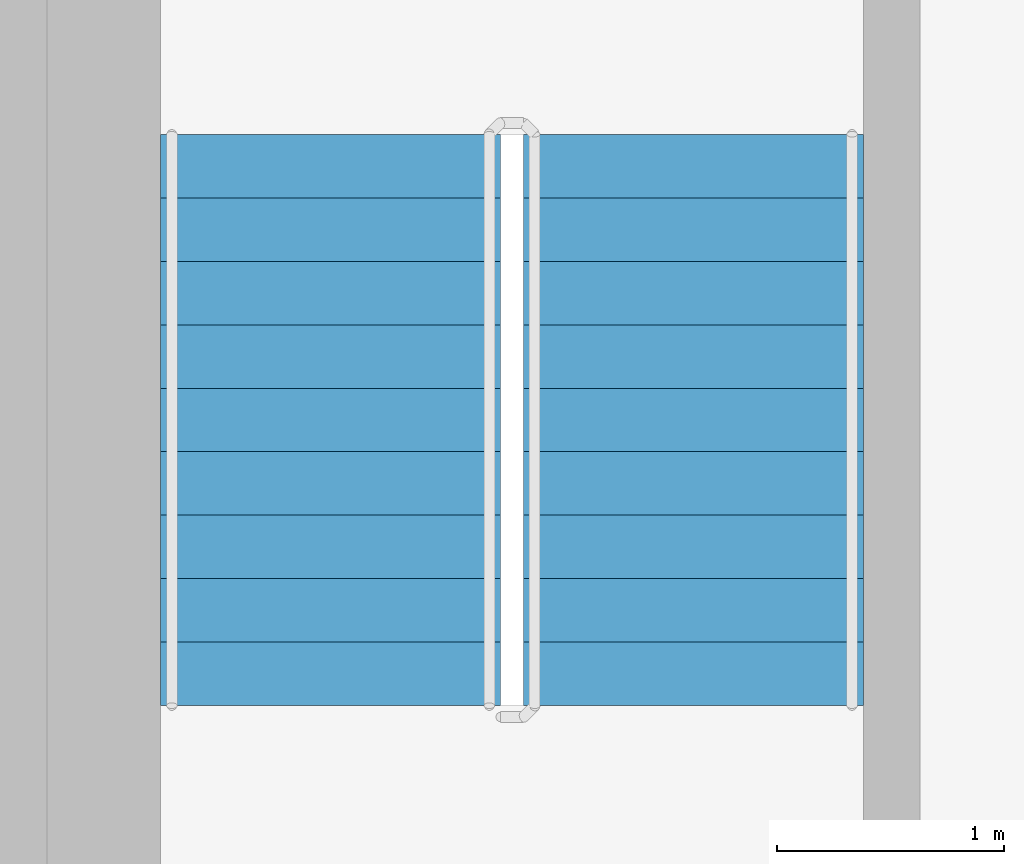
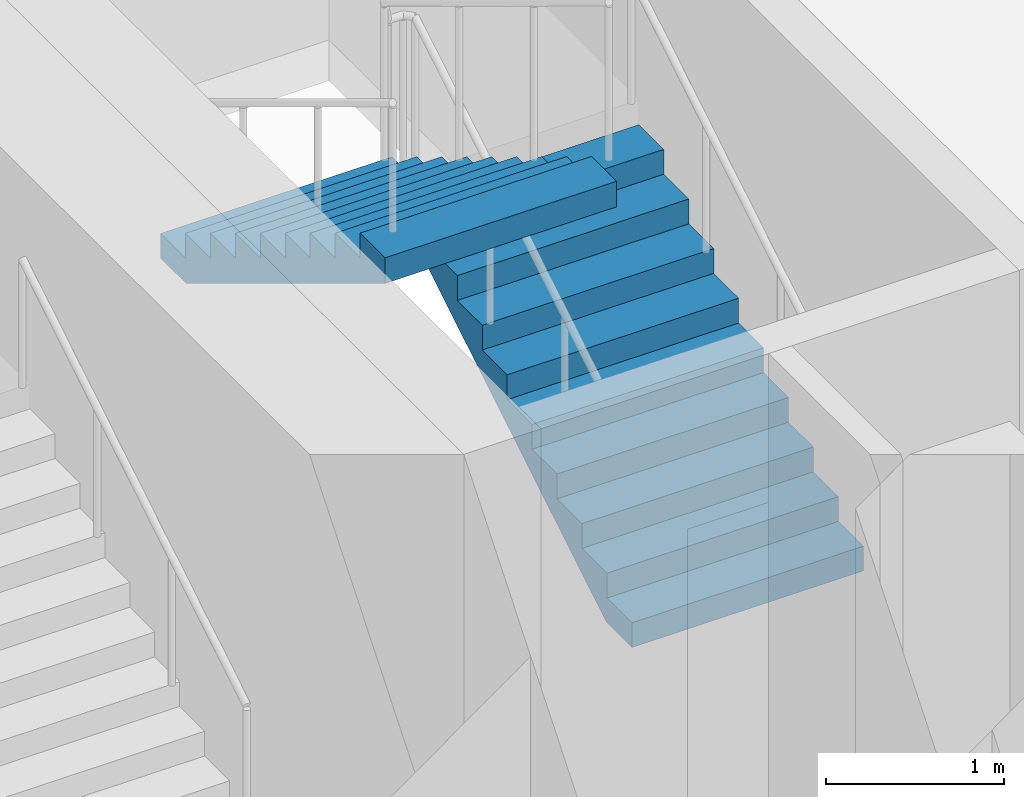
# One storey, part 13 of 21: 2 stair flights, 1 element without a shape of its own.
"""IFC4 building model written with IfcOpenShell, lengths in metres."""

from ifc_helpers import new_model, si_unit, direction, frame, origin, place, context, subcontext, project, spatial, triangles, source, transform, mapped, material, type_object, element, aggregate, save


model = new_model("IFC4")

# Units and contexts
model_context = context("Model", 3, precision=1e-05, world=origin(), true_north=direction((0.0, 1.0)))
body_context = subcontext(model_context, "Body", "Model", "MODEL_VIEW")
ifc_project = project(units=[si_unit("LENGTHUNIT", "METRE"), si_unit("AREAUNIT", "SQUARE_METRE"), si_unit("VOLUMEUNIT", "CUBIC_METRE"), si_unit("PLANEANGLEUNIT", "RADIAN"), si_unit("MASSUNIT", "GRAM", prefix="KILO")], contexts=[model_context])

# Site, building, storey
site_placement = place(None, origin())
site = spatial("IfcSite", under=ifc_project, at=site_placement, CompositionType="ELEMENT")
building_placement = place(site_placement, origin())
building = spatial("IfcBuilding", under=site, at=building_placement, Name="Kilnfold Tower and Market Hall", CompositionType="ELEMENT")
storey_placement = place(building_placement, frame((0.0, 0.0, 216.89990234375)))
storey = spatial("IfcBuildingStorey", under=building, at=storey_placement, Name="L53", CompositionType="ELEMENT", Elevation=216.89990234375)

# Stair, stair flights
ifc_material_1 = material(Name="Concrete C40/50", Category="concrete")
stair_type = type_object("IfcStairType", Name="CORE STAIR 1500", PredefinedType="HALF_TURN_STAIR", material=ifc_material_1)
stair_placement = place(storey_placement, origin())
stair = element("IfcStair", 1, at=stair_placement, inside=storey, type_object=stair_type, Name="L53 ST5", PredefinedType="HALF_TURN_STAIR")
ifc_material_2 = material(Name="Concrete C40/50", Category="concrete")
stair_flight_type = type_object("IfcStairFlightType", Name="CORE STAIR FLIGHT 1500", PredefinedType="STRAIGHT", material=ifc_material_2)
shared_shape = source(origin(), body_context, "Body", "Tessellation", [
    triangles([(0.0, 0.75, 0.0), (0.0, 0.65625, 0.0), (0.0, 0.5625, 0.0), (0.0, 0.46875, 0.0), (0.0, 0.375, 0.0), (0.0, 0.28125, 0.0), (0.0, 0.1875, 0.0), (0.0, 0.09375, 0.0), (0.0, 0.0, 0.0), (0.0, -0.09375, 0.0), (0.0, -0.1875, 0.0), (0.0, -0.28125, 0.0), (0.0, -0.375, 0.0), (0.0, -0.46875, 0.0), (0.0, -0.5625, 0.0), (0.0, -0.65625, 0.0), (0.0, -0.75, 0.0), (0.0, 0.75, 0.169921875), (0.0, 0.65625, 0.169921875), (0.0, 0.5625, 0.169921875), (0.0, 0.46875, 0.169921875), (0.0, 0.375, 0.169921875), (0.0, 0.28125, 0.169921875), (0.0, 0.1875, 0.169921875), (0.0, 0.09375, 0.169921875), (0.0, 0.0, 0.169921875), (0.0, -0.09375, 0.169921875), (0.0, -0.1875, 0.169921875), (0.0, -0.28125, 0.169921875), (0.0, -0.375, 0.169921875), (0.0, -0.46875, 0.169921875), (0.0, -0.5625, 0.169921875), (0.0, -0.65625, 0.169921875), (0.0, -0.75, 0.169921875), (0.280029296875, 0.75, 0.169921875), (0.280029296875, 0.65625, 0.169921875), (0.280029296875, 0.5625, 0.169921875), (0.280029296875, 0.46875, 0.169921875), (0.280029296875, 0.375, 0.169921875), (0.280029296875, 0.28125, 0.169921875), (0.280029296875, 0.1875, 0.169921875), (0.280029296875, 0.09375, 0.169921875), (0.280029296875, 0.0, 0.169921875), (0.280029296875, -0.09375, 0.169921875), (0.280029296875, -0.1875, 0.169921875), (0.280029296875, -0.28125, 0.169921875), (0.280029296875, -0.375, 0.169921875), (0.280029296875, -0.46875, 0.169921875), (0.280029296875, -0.5625, 0.169921875), (0.280029296875, -0.65625, 0.169921875), (0.280029296875, -0.75, 0.169921875), (0.280029296875, 0.75, 0.340087890625), (0.280029296875, 0.65625, 0.340087890625), (0.280029296875, 0.5625, 0.340087890625), (0.280029296875, 0.46875, 0.340087890625), (0.280029296875, 0.375, 0.340087890625), (0.280029296875, 0.28125, 0.340087890625), (0.280029296875, 0.1875, 0.340087890625), (0.280029296875, 0.09375, 0.340087890625), (0.280029296875, 0.0, 0.340087890625), (0.280029296875, -0.09375, 0.340087890625), (0.280029296875, -0.1875, 0.340087890625), (0.280029296875, -0.28125, 0.340087890625), (0.280029296875, -0.375, 0.340087890625), (0.280029296875, -0.46875, 0.340087890625), (0.280029296875, -0.5625, 0.340087890625), (0.280029296875, -0.65625, 0.340087890625), (0.280029296875, -0.75, 0.340087890625), (0.56005859375, 0.75, 0.340087890625), (0.56005859375, 0.65625, 0.340087890625), (0.56005859375, 0.5625, 0.340087890625), (0.56005859375, 0.46875, 0.340087890625), (0.56005859375, 0.375, 0.340087890625), (0.56005859375, 0.28125, 0.340087890625), (0.56005859375, 0.1875, 0.340087890625), (0.56005859375, 0.09375, 0.340087890625), (0.56005859375, 0.0, 0.340087890625), (0.56005859375, -0.09375, 0.340087890625), (0.56005859375, -0.1875, 0.340087890625), (0.56005859375, -0.28125, 0.340087890625), (0.56005859375, -0.375, 0.340087890625), (0.56005859375, -0.46875, 0.340087890625), (0.56005859375, -0.5625, 0.340087890625), (0.56005859375, -0.65625, 0.340087890625), (0.56005859375, -0.75, 0.340087890625), (0.56005859375, 0.75, 0.510009765625), (0.56005859375, 0.65625, 0.510009765625), (0.56005859375, 0.5625, 0.510009765625), (0.56005859375, 0.46875, 0.510009765625), (0.56005859375, 0.375, 0.510009765625), (0.56005859375, 0.28125, 0.510009765625), (0.56005859375, 0.1875, 0.510009765625), (0.56005859375, 0.09375, 0.510009765625), (0.56005859375, 0.0, 0.510009765625), (0.56005859375, -0.09375, 0.510009765625), (0.56005859375, -0.1875, 0.510009765625), (0.56005859375, -0.28125, 0.510009765625), (0.56005859375, -0.375, 0.510009765625), (0.56005859375, -0.46875, 0.510009765625), (0.56005859375, -0.5625, 0.510009765625), (0.56005859375, -0.65625, 0.510009765625), (0.56005859375, -0.75, 0.510009765625), (0.840087890625, 0.75, 0.510009765625), (0.840087890625, 0.65625, 0.510009765625), (0.840087890625, 0.5625, 0.510009765625), (0.840087890625, 0.46875, 0.510009765625), (0.840087890625, 0.375, 0.510009765625), (0.840087890625, 0.28125, 0.510009765625), (0.840087890625, 0.1875, 0.510009765625), (0.840087890625, 0.09375, 0.510009765625), (0.840087890625, 0.0, 0.510009765625), (0.840087890625, -0.09375, 0.510009765625), (0.840087890625, -0.1875, 0.510009765625), (0.840087890625, -0.28125, 0.510009765625), (0.840087890625, -0.375, 0.510009765625), (0.840087890625, -0.46875, 0.510009765625), (0.840087890625, -0.5625, 0.510009765625), (0.840087890625, -0.65625, 0.510009765625), (0.840087890625, -0.75, 0.510009765625), (0.840087890625, 0.75, 0.679931640625), (0.840087890625, 0.65625, 0.679931640625), (0.840087890625, 0.5625, 0.679931640625), (0.840087890625, 0.46875, 0.679931640625), (0.840087890625, 0.375, 0.679931640625), (0.840087890625, 0.28125, 0.679931640625), (0.840087890625, 0.1875, 0.679931640625), (0.840087890625, 0.09375, 0.679931640625), (0.840087890625, 0.0, 0.679931640625), (0.840087890625, -0.09375, 0.679931640625), (0.840087890625, -0.1875, 0.679931640625), (0.840087890625, -0.28125, 0.679931640625), (0.840087890625, -0.375, 0.679931640625), (0.840087890625, -0.46875, 0.679931640625), (0.840087890625, -0.5625, 0.679931640625), (0.840087890625, -0.65625, 0.679931640625), (0.840087890625, -0.75, 0.679931640625), (1.1201171875, 0.75, 0.679931640625), (1.1201171875, 0.65625, 0.679931640625), (1.1201171875, 0.5625, 0.679931640625), (1.1201171875, 0.46875, 0.679931640625), (1.1201171875, 0.375, 0.679931640625), (1.1201171875, 0.28125, 0.679931640625), (1.1201171875, 0.1875, 0.679931640625), (1.1201171875, 0.09375, 0.679931640625), (1.1201171875, 0.0, 0.679931640625), (1.1201171875, -0.09375, 0.679931640625), (1.1201171875, -0.1875, 0.679931640625), (1.1201171875, -0.28125, 0.679931640625), (1.1201171875, -0.375, 0.679931640625), (1.1201171875, -0.46875, 0.679931640625), (1.1201171875, -0.5625, 0.679931640625), (1.1201171875, -0.65625, 0.679931640625), (1.1201171875, -0.75, 0.679931640625), (1.1201171875, 0.75, 0.85009765625), (1.1201171875, 0.65625, 0.85009765625), (1.1201171875, 0.5625, 0.85009765625), (1.1201171875, 0.46875, 0.85009765625), (1.1201171875, 0.375, 0.85009765625), (1.1201171875, 0.28125, 0.85009765625), (1.1201171875, 0.1875, 0.85009765625), (1.1201171875, 0.09375, 0.85009765625), (1.1201171875, 0.0, 0.85009765625), (1.1201171875, -0.09375, 0.85009765625), (1.1201171875, -0.1875, 0.85009765625), (1.1201171875, -0.28125, 0.85009765625), (1.1201171875, -0.375, 0.85009765625), (1.1201171875, -0.46875, 0.85009765625), (1.1201171875, -0.5625, 0.85009765625), (1.1201171875, -0.65625, 0.85009765625), (1.1201171875, -0.75, 0.85009765625), (1.39990234375, 0.75, 0.85009765625), (1.39990234375, 0.65625, 0.85009765625), (1.39990234375, 0.5625, 0.85009765625), (1.39990234375, 0.46875, 0.85009765625), (1.39990234375, 0.375, 0.85009765625), (1.39990234375, 0.28125, 0.85009765625), (1.39990234375, 0.1875, 0.85009765625), (1.39990234375, 0.09375, 0.85009765625), (1.39990234375, 0.0, 0.85009765625), (1.39990234375, -0.09375, 0.85009765625), (1.39990234375, -0.1875, 0.85009765625), (1.39990234375, -0.28125, 0.85009765625), (1.39990234375, -0.375, 0.85009765625), (1.39990234375, -0.46875, 0.85009765625), (1.39990234375, -0.5625, 0.85009765625), (1.39990234375, -0.65625, 0.85009765625), (1.39990234375, -0.75, 0.85009765625), (1.39990234375, 0.75, 1.02001953125), (1.39990234375, 0.65625, 1.02001953125), (1.39990234375, 0.5625, 1.02001953125), (1.39990234375, 0.46875, 1.02001953125), (1.39990234375, 0.375, 1.02001953125), (1.39990234375, 0.28125, 1.02001953125), (1.39990234375, 0.1875, 1.02001953125), (1.39990234375, 0.09375, 1.02001953125), (1.39990234375, 0.0, 1.02001953125), (1.39990234375, -0.09375, 1.02001953125), (1.39990234375, -0.1875, 1.02001953125), (1.39990234375, -0.28125, 1.02001953125), (1.39990234375, -0.375, 1.02001953125), (1.39990234375, -0.46875, 1.02001953125), (1.39990234375, -0.5625, 1.02001953125), (1.39990234375, -0.65625, 1.02001953125), (1.39990234375, -0.75, 1.02001953125), (1.679931640625, 0.75, 1.02001953125), (1.679931640625, 0.65625, 1.02001953125), (1.679931640625, 0.5625, 1.02001953125), (1.679931640625, 0.46875, 1.02001953125), (1.679931640625, 0.375, 1.02001953125), (1.679931640625, 0.28125, 1.02001953125), (1.679931640625, 0.1875, 1.02001953125), (1.679931640625, 0.09375, 1.02001953125), (1.679931640625, 0.0, 1.02001953125), (1.679931640625, -0.09375, 1.02001953125), (1.679931640625, -0.1875, 1.02001953125), (1.679931640625, -0.28125, 1.02001953125), (1.679931640625, -0.375, 1.02001953125), (1.679931640625, -0.46875, 1.02001953125), (1.679931640625, -0.5625, 1.02001953125), (1.679931640625, -0.65625, 1.02001953125), (1.679931640625, -0.75, 1.02001953125), (1.679931640625, 0.75, 1.18994140625), (1.679931640625, 0.65625, 1.18994140625), (1.679931640625, 0.5625, 1.18994140625), (1.679931640625, 0.46875, 1.18994140625), (1.679931640625, 0.375, 1.18994140625), (1.679931640625, 0.28125, 1.18994140625), (1.679931640625, 0.1875, 1.18994140625), (1.679931640625, 0.09375, 1.18994140625), (1.679931640625, 0.0, 1.18994140625), (1.679931640625, -0.09375, 1.18994140625), (1.679931640625, -0.1875, 1.18994140625), (1.679931640625, -0.28125, 1.18994140625), (1.679931640625, -0.375, 1.18994140625), (1.679931640625, -0.46875, 1.18994140625), (1.679931640625, -0.5625, 1.18994140625), (1.679931640625, -0.65625, 1.18994140625), (1.679931640625, -0.75, 1.18994140625), (1.9599609375, 0.75, 1.18994140625), (1.9599609375, 0.65625, 1.18994140625), (1.9599609375, 0.5625, 1.18994140625), (1.9599609375, 0.46875, 1.18994140625), (1.9599609375, 0.375, 1.18994140625), (1.9599609375, 0.28125, 1.18994140625), (1.9599609375, 0.1875, 1.18994140625), (1.9599609375, 0.09375, 1.18994140625), (1.9599609375, 0.0, 1.18994140625), (1.9599609375, -0.09375, 1.18994140625), (1.9599609375, -0.1875, 1.18994140625), (1.9599609375, -0.28125, 1.18994140625), (1.9599609375, -0.375, 1.18994140625), (1.9599609375, -0.46875, 1.18994140625), (1.9599609375, -0.5625, 1.18994140625), (1.9599609375, -0.65625, 1.18994140625), (1.9599609375, -0.75, 1.18994140625), (1.9599609375, 0.75, 1.360107421875), (1.9599609375, 0.65625, 1.360107421875), (1.9599609375, 0.5625, 1.360107421875), (1.9599609375, 0.46875, 1.360107421875), (1.9599609375, 0.375, 1.360107421875), (1.9599609375, 0.28125, 1.360107421875), (1.9599609375, 0.1875, 1.360107421875), (1.9599609375, 0.09375, 1.360107421875), (1.9599609375, 0.0, 1.360107421875), (1.9599609375, -0.09375, 1.360107421875), (1.9599609375, -0.1875, 1.360107421875), (1.9599609375, -0.28125, 1.360107421875), (1.9599609375, -0.375, 1.360107421875), (1.9599609375, -0.46875, 1.360107421875), (1.9599609375, -0.5625, 1.360107421875), (1.9599609375, -0.65625, 1.360107421875), (1.9599609375, -0.75, 1.360107421875), (2.239990234375, 0.75, 1.360107421875), (2.239990234375, 0.65625, 1.360107421875), (2.239990234375, 0.5625, 1.360107421875), (2.239990234375, 0.46875, 1.360107421875), (2.239990234375, 0.375, 1.360107421875), (2.239990234375, 0.28125, 1.360107421875), (2.239990234375, 0.1875, 1.360107421875), (2.239990234375, 0.09375, 1.360107421875), (2.239990234375, 0.0, 1.360107421875), (2.239990234375, -0.09375, 1.360107421875), (2.239990234375, -0.1875, 1.360107421875), (2.239990234375, -0.28125, 1.360107421875), (2.239990234375, -0.375, 1.360107421875), (2.239990234375, -0.46875, 1.360107421875), (2.239990234375, -0.5625, 1.360107421875), (2.239990234375, -0.65625, 1.360107421875), (2.239990234375, -0.75, 1.360107421875), (2.239990234375, 0.75, 1.530029296875), (2.239990234375, 0.65625, 1.530029296875), (2.239990234375, 0.5625, 1.530029296875), (2.239990234375, 0.46875, 1.530029296875), (2.239990234375, 0.375, 1.530029296875), (2.239990234375, 0.28125, 1.530029296875), (2.239990234375, 0.1875, 1.530029296875), (2.239990234375, 0.09375, 1.530029296875), (2.239990234375, 0.0, 1.530029296875), (2.239990234375, -0.09375, 1.530029296875), (2.239990234375, -0.1875, 1.530029296875), (2.239990234375, -0.28125, 1.530029296875), (2.239990234375, -0.375, 1.530029296875), (2.239990234375, -0.46875, 1.530029296875), (2.239990234375, -0.5625, 1.530029296875), (2.239990234375, -0.65625, 1.530029296875), (2.239990234375, -0.75, 1.530029296875), (2.52001953125, 0.75, 1.530029296875), (2.52001953125, 0.65625, 1.530029296875), (2.52001953125, 0.5625, 1.530029296875), (2.52001953125, 0.46875, 1.530029296875), (2.52001953125, 0.375, 1.530029296875), (2.52001953125, 0.28125, 1.530029296875), (2.52001953125, 0.1875, 1.530029296875), (2.52001953125, 0.09375, 1.530029296875), (2.52001953125, 0.0, 1.530029296875), (2.52001953125, -0.09375, 1.530029296875), (2.52001953125, -0.1875, 1.530029296875), (2.52001953125, -0.28125, 1.530029296875), (2.52001953125, -0.375, 1.530029296875), (2.52001953125, -0.46875, 1.530029296875), (2.52001953125, -0.5625, 1.530029296875), (2.52001953125, -0.65625, 1.530029296875), (2.52001953125, -0.75, 1.530029296875), (2.52001953125, 0.75, 1.354736328125), (2.52001953125, 0.65625, 1.354736328125), (2.52001953125, 0.5625, 1.354736328125), (2.52001953125, 0.46875, 1.354736328125), (2.52001953125, 0.375, 1.354736328125), (2.52001953125, 0.28125, 1.354736328125), (2.52001953125, 0.1875, 1.354736328125), (2.52001953125, 0.09375, 1.354736328125), (2.52001953125, 0.0, 1.354736328125), (2.52001953125, -0.09375, 1.354736328125), (2.52001953125, -0.1875, 1.354736328125), (2.52001953125, -0.28125, 1.354736328125), (2.52001953125, -0.375, 1.354736328125), (2.52001953125, -0.46875, 1.354736328125), (2.52001953125, -0.5625, 1.354736328125), (2.52001953125, -0.65625, 1.354736328125), (2.52001953125, -0.75, 1.354736328125), (0.288818359375, 0.75, 0.0), (0.288818359375, 0.65625, 0.0), (0.288818359375, 0.5625, 0.0), (0.288818359375, 0.46875, 0.0), (0.288818359375, 0.375, 0.0), (0.288818359375, 0.28125, 0.0), (0.288818359375, 0.1875, 0.0), (0.288818359375, 0.09375, 0.0), (0.288818359375, 0.0, 0.0), (0.288818359375, -0.09375, 0.0), (0.288818359375, -0.1875, 0.0), (0.288818359375, -0.28125, 0.0), (0.288818359375, -0.375, 0.0), (0.288818359375, -0.46875, 0.0), (0.288818359375, -0.5625, 0.0), (0.288818359375, -0.65625, 0.0), (0.288818359375, -0.75, 0.0)], [[1, 324, 341], [17, 357, 340], [324, 290, 307], [340, 323, 306], [324, 273, 290], [340, 306, 289], [324, 256, 273], [340, 289, 272], [324, 239, 256], [340, 272, 255], [239, 205, 222], [255, 238, 221], [324, 205, 239], [340, 255, 221], [205, 171, 188], [221, 204, 187], [324, 171, 205], [340, 221, 187], [171, 137, 154], [187, 170, 153], [324, 137, 171], [340, 187, 153], [137, 103, 120], [153, 136, 119], [324, 103, 137], [340, 153, 119], [103, 69, 86], [119, 102, 85], [324, 69, 103], [340, 119, 85], [69, 35, 52], [85, 68, 51], [324, 35, 69], [340, 85, 51], [1, 35, 324], [17, 340, 51], [35, 1, 18], [51, 34, 17], [1, 19, 18], [1, 2, 19], [2, 20, 19], [2, 3, 20], [3, 21, 20], [3, 4, 21], [4, 22, 21], [4, 5, 22], [5, 23, 22], [5, 6, 23], [6, 24, 23], [6, 7, 24], [7, 25, 24], [7, 8, 25], [8, 26, 25], [8, 9, 26], [9, 27, 26], [9, 10, 27], [10, 28, 27], [10, 11, 28], [11, 29, 28], [11, 12, 29], [12, 30, 29], [12, 13, 30], [13, 31, 30], [13, 14, 31], [14, 32, 31], [14, 15, 32], [15, 33, 32], [15, 16, 33], [16, 34, 33], [16, 17, 34], [18, 36, 35], [18, 19, 36], [19, 37, 36], [19, 20, 37], [20, 38, 37], [20, 21, 38], [21, 39, 38], [21, 22, 39], [22, 40, 39], [22, 23, 40], [23, 41, 40], [23, 24, 41], [24, 42, 41], [24, 25, 42], [25, 43, 42], [25, 26, 43], [26, 44, 43], [26, 27, 44], [27, 45, 44], [27, 28, 45], [28, 46, 45], [28, 29, 46], [29, 47, 46], [29, 30, 47], [30, 48, 47], [30, 31, 48], [31, 49, 48], [31, 32, 49], [32, 50, 49], [32, 33, 50], [33, 51, 50], [33, 34, 51], [35, 53, 52], [35, 36, 53], [36, 54, 53], [36, 37, 54], [37, 55, 54], [37, 38, 55], [38, 56, 55], [38, 39, 56], [39, 57, 56], [39, 40, 57], [40, 58, 57], [40, 41, 58], [41, 59, 58], [41, 42, 59], [42, 60, 59], [42, 43, 60], [43, 61, 60], [43, 44, 61], [44, 62, 61], [44, 45, 62], [45, 63, 62], [45, 46, 63], [46, 64, 63], [46, 47, 64], [47, 65, 64], [47, 48, 65], [48, 66, 65], [48, 49, 66], [49, 67, 66], [49, 50, 67], [50, 68, 67], [50, 51, 68], [52, 70, 69], [52, 53, 70], [53, 71, 70], [53, 54, 71], [54, 72, 71], [54, 55, 72], [55, 73, 72], [55, 56, 73], [56, 74, 73], [56, 57, 74], [57, 75, 74], [57, 58, 75], [58, 76, 75], [58, 59, 76], [59, 77, 76], [59, 60, 77], [60, 78, 77], [60, 61, 78], [61, 79, 78], [61, 62, 79], [62, 80, 79], [62, 63, 80], [63, 81, 80], [63, 64, 81], [64, 82, 81], [64, 65, 82], [65, 83, 82], [65, 66, 83], [66, 84, 83], [66, 67, 84], [67, 85, 84], [67, 68, 85], [69, 87, 86], [69, 70, 87], [70, 88, 87], [70, 71, 88], [71, 89, 88], [71, 72, 89], [72, 90, 89], [72, 73, 90], [73, 91, 90], [73, 74, 91], [74, 92, 91], [74, 75, 92], [75, 93, 92], [75, 76, 93], [76, 94, 93], [76, 77, 94], [77, 95, 94], [77, 78, 95], [78, 96, 95], [78, 79, 96], [79, 97, 96], [79, 80, 97], [80, 98, 97], [80, 81, 98], [81, 99, 98], [81, 82, 99], [82, 100, 99], [82, 83, 100], [83, 101, 100], [83, 84, 101], [84, 102, 101], [84, 85, 102], [86, 104, 103], [86, 87, 104], [87, 105, 104], [87, 88, 105], [88, 106, 105], [88, 89, 106], [89, 107, 106], [89, 90, 107], [90, 108, 107], [90, 91, 108], [91, 109, 108], [91, 92, 109], [92, 110, 109], [92, 93, 110], [93, 111, 110], [93, 94, 111], [94, 112, 111], [94, 95, 112], [95, 113, 112], [95, 96, 113], [96, 114, 113], [96, 97, 114], [97, 115, 114], [97, 98, 115], [98, 116, 115], [98, 99, 116], [99, 117, 116], [99, 100, 117], [100, 118, 117], [100, 101, 118], [101, 119, 118], [101, 102, 119], [103, 121, 120], [103, 104, 121], [104, 122, 121], [104, 105, 122], [105, 123, 122], [105, 106, 123], [106, 124, 123], [106, 107, 124], [107, 125, 124], [107, 108, 125], [108, 126, 125], [108, 109, 126], [109, 127, 126], [109, 110, 127], [110, 128, 127], [110, 111, 128], [111, 129, 128], [111, 112, 129], [112, 130, 129], [112, 113, 130], [113, 131, 130], [113, 114, 131], [114, 132, 131], [114, 115, 132], [115, 133, 132], [115, 116, 133], [116, 134, 133], [116, 117, 134], [117, 135, 134], [117, 118, 135], [118, 136, 135], [118, 119, 136], [120, 138, 137], [120, 121, 138], [121, 139, 138], [121, 122, 139], [122, 140, 139], [122, 123, 140], [123, 141, 140], [123, 124, 141], [124, 142, 141], [124, 125, 142], [125, 143, 142], [125, 126, 143], [126, 144, 143], [126, 127, 144], [127, 145, 144], [127, 128, 145], [128, 146, 145], [128, 129, 146], [129, 147, 146], [129, 130, 147], [130, 148, 147], [130, 131, 148], [131, 149, 148], [131, 132, 149], [132, 150, 149], [132, 133, 150], [133, 151, 150], [133, 134, 151], [134, 152, 151], [134, 135, 152], [135, 153, 152], [135, 136, 153], [137, 155, 154], [137, 138, 155], [138, 156, 155], [138, 139, 156], [139, 157, 156], [139, 140, 157], [140, 158, 157], [140, 141, 158], [141, 159, 158], [141, 142, 159], [142, 160, 159], [142, 143, 160], [143, 161, 160], [143, 144, 161], [144, 162, 161], [144, 145, 162], [145, 163, 162], [145, 146, 163], [146, 164, 163], [146, 147, 164], [147, 165, 164], [147, 148, 165], [148, 166, 165], [148, 149, 166], [149, 167, 166], [149, 150, 167], [150, 168, 167], [150, 151, 168], [151, 169, 168], [151, 152, 169], [152, 170, 169], [152, 153, 170], [154, 172, 171], [154, 155, 172], [155, 173, 172], [155, 156, 173], [156, 174, 173], [156, 157, 174], [157, 175, 174], [157, 158, 175], [158, 176, 175], [158, 159, 176], [159, 177, 176], [159, 160, 177], [160, 178, 177], [160, 161, 178], [161, 179, 178], [161, 162, 179], [162, 180, 179], [162, 163, 180], [163, 181, 180], [163, 164, 181], [164, 182, 181], [164, 165, 182], [165, 183, 182], [165, 166, 183], [166, 184, 183], [166, 167, 184], [167, 185, 184], [167, 168, 185], [168, 186, 185], [168, 169, 186], [169, 187, 186], [169, 170, 187], [171, 189, 188], [171, 172, 189], [172, 190, 189], [172, 173, 190], [173, 191, 190], [173, 174, 191], [174, 192, 191], [174, 175, 192], [175, 193, 192], [175, 176, 193], [176, 194, 193], [176, 177, 194], [177, 195, 194], [177, 178, 195], [178, 196, 195], [178, 179, 196], [179, 197, 196], [179, 180, 197], [180, 198, 197], [180, 181, 198], [181, 199, 198], [181, 182, 199], [182, 200, 199], [182, 183, 200], [183, 201, 200], [183, 184, 201], [184, 202, 201], [184, 185, 202], [185, 203, 202], [185, 186, 203], [186, 204, 203], [186, 187, 204], [188, 206, 205], [188, 189, 206], [189, 207, 206], [189, 190, 207], [190, 208, 207], [190, 191, 208], [191, 209, 208], [191, 192, 209], [192, 210, 209], [192, 193, 210], [193, 211, 210], [193, 194, 211], [194, 212, 211], [194, 195, 212], [195, 213, 212], [195, 196, 213], [196, 214, 213], [196, 197, 214], [197, 215, 214], [197, 198, 215], [198, 216, 215], [198, 199, 216], [199, 217, 216], [199, 200, 217], [200, 218, 217], [200, 201, 218], [201, 219, 218], [201, 202, 219], [202, 220, 219], [202, 203, 220], [203, 221, 220], [203, 204, 221], [205, 223, 222], [205, 206, 223], [206, 224, 223], [206, 207, 224], [207, 225, 224], [207, 208, 225], [208, 226, 225], [208, 209, 226], [209, 227, 226], [209, 210, 227], [210, 228, 227], [210, 211, 228], [211, 229, 228], [211, 212, 229], [212, 230, 229], [212, 213, 230], [213, 231, 230], [213, 214, 231], [214, 232, 231], [214, 215, 232], [215, 233, 232], [215, 216, 233], [216, 234, 233], [216, 217, 234], [217, 235, 234], [217, 218, 235], [218, 236, 235], [218, 219, 236], [219, 237, 236], [219, 220, 237], [220, 238, 237], [220, 221, 238], [222, 240, 239], [222, 223, 240], [223, 241, 240], [223, 224, 241], [224, 242, 241], [224, 225, 242], [225, 243, 242], [225, 226, 243], [226, 244, 243], [226, 227, 244], [227, 245, 244], [227, 228, 245], [228, 246, 245], [228, 229, 246], [229, 247, 246], [229, 230, 247], [230, 248, 247], [230, 231, 248], [231, 249, 248], [231, 232, 249], [232, 250, 249], [232, 233, 250], [233, 251, 250], [233, 234, 251], [234, 252, 251], [234, 235, 252], [235, 253, 252], [235, 236, 253], [236, 254, 253], [236, 237, 254], [237, 255, 254], [237, 238, 255], [239, 257, 256], [239, 240, 257], [240, 258, 257], [240, 241, 258], [241, 259, 258], [241, 242, 259], [242, 260, 259], [242, 243, 260], [243, 261, 260], [243, 244, 261], [244, 262, 261], [244, 245, 262], [245, 263, 262], [245, 246, 263], [246, 264, 263], [246, 247, 264], [247, 265, 264], [247, 248, 265], [248, 266, 265], [248, 249, 266], [249, 267, 266], [249, 250, 267], [250, 268, 267], [250, 251, 268], [251, 269, 268], [251, 252, 269], [252, 270, 269], [252, 253, 270], [253, 271, 270], [253, 254, 271], [254, 272, 271], [254, 255, 272], [256, 274, 273], [256, 257, 274], [257, 275, 274], [257, 258, 275], [258, 276, 275], [258, 259, 276], [259, 277, 276], [259, 260, 277], [260, 278, 277], [260, 261, 278], [261, 279, 278], [261, 262, 279], [262, 280, 279], [262, 263, 280], [263, 281, 280], [263, 264, 281], [264, 282, 281], [264, 265, 282], [265, 283, 282], [265, 266, 283], [266, 284, 283], [266, 267, 284], [267, 285, 284], [267, 268, 285], [268, 286, 285], [268, 269, 286], [269, 287, 286], [269, 270, 287], [270, 288, 287], [270, 271, 288], [271, 289, 288], [271, 272, 289], [273, 291, 290], [273, 274, 291], [274, 292, 291], [274, 275, 292], [275, 293, 292], [275, 276, 293], [276, 294, 293], [276, 277, 294], [277, 295, 294], [277, 278, 295], [278, 296, 295], [278, 279, 296], [279, 297, 296], [279, 280, 297], [280, 298, 297], [280, 281, 298], [281, 299, 298], [281, 282, 299], [282, 300, 299], [282, 283, 300], [283, 301, 300], [283, 284, 301], [284, 302, 301], [284, 285, 302], [285, 303, 302], [285, 286, 303], [286, 304, 303], [286, 287, 304], [287, 305, 304], [287, 288, 305], [288, 306, 305], [288, 289, 306], [290, 308, 307], [290, 291, 308], [291, 309, 308], [291, 292, 309], [292, 310, 309], [292, 293, 310], [293, 311, 310], [293, 294, 311], [294, 312, 311], [294, 295, 312], [295, 313, 312], [295, 296, 313], [296, 314, 313], [296, 297, 314], [297, 315, 314], [297, 298, 315], [298, 316, 315], [298, 299, 316], [299, 317, 316], [299, 300, 317], [300, 318, 317], [300, 301, 318], [301, 319, 318], [301, 302, 319], [302, 320, 319], [302, 303, 320], [303, 321, 320], [303, 304, 321], [304, 322, 321], [304, 305, 322], [305, 323, 322], [305, 306, 323], [307, 325, 324], [307, 308, 325], [308, 326, 325], [308, 309, 326], [309, 327, 326], [309, 310, 327], [310, 328, 327], [310, 311, 328], [311, 329, 328], [311, 312, 329], [312, 330, 329], [312, 313, 330], [313, 331, 330], [313, 314, 331], [314, 332, 331], [314, 315, 332], [315, 333, 332], [315, 316, 333], [316, 334, 333], [316, 317, 334], [317, 335, 334], [317, 318, 335], [318, 336, 335], [318, 319, 336], [319, 337, 336], [319, 320, 337], [320, 338, 337], [320, 321, 338], [321, 339, 338], [321, 322, 339], [322, 340, 339], [322, 323, 340], [324, 342, 341], [324, 325, 342], [325, 343, 342], [325, 326, 343], [326, 344, 343], [326, 327, 344], [327, 345, 344], [327, 328, 345], [328, 346, 345], [328, 329, 346], [329, 347, 346], [329, 330, 347], [330, 348, 347], [330, 331, 348], [331, 349, 348], [331, 332, 349], [332, 350, 349], [332, 333, 350], [333, 351, 350], [333, 334, 351], [334, 352, 351], [334, 335, 352], [335, 353, 352], [335, 336, 353], [336, 354, 353], [336, 337, 354], [337, 355, 354], [337, 338, 355], [338, 356, 355], [338, 339, 356], [339, 357, 356], [339, 340, 357], [341, 2, 1], [341, 342, 2], [342, 3, 2], [342, 343, 3], [343, 4, 3], [343, 344, 4], [344, 5, 4], [344, 345, 5], [345, 6, 5], [345, 346, 6], [346, 7, 6], [346, 347, 7], [347, 8, 7], [347, 348, 8], [348, 9, 8], [348, 349, 9], [349, 10, 9], [349, 350, 10], [350, 11, 10], [350, 351, 11], [351, 12, 11], [351, 352, 12], [352, 13, 12], [352, 353, 13], [353, 14, 13], [353, 354, 14], [354, 15, 14], [354, 355, 15], [355, 16, 15], [355, 356, 16], [356, 17, 16], [356, 357, 17]], closed=True),
])
stair_flight_1_placement = place(storey_placement, frame((20.699951171875, 11.5, 0.0), z_axis=(0.0, 0.0, 1.0), x_axis=(0.0, 1.0, 0.0)))
stair_flight_1 = element("IfcStairFlight", 2, at=stair_flight_1_placement, type_object=stair_flight_type, Name="ST5 flight 1", NumberOfRisers=10, NumberOfTreads=9, PredefinedType="STRAIGHT", RiserHeight=0.17, TreadLength=0.28, context=body_context, shape_type="MappedRepresentation", body=[
    mapped(shared_shape, transform((0.0, 0.0, 0.0))),
])
stair_flight_2_placement = place(storey_placement, frame((19.10009765625, 14.02001953125, 1.7001953125), z_axis=(0.0, 0.0, 1.0), x_axis=(0.0, -1.0, 0.0)))
stair_flight_2 = element("IfcStairFlight", 3, at=stair_flight_2_placement, type_object=stair_flight_type, Name="ST5 flight 2", NumberOfRisers=10, NumberOfTreads=9, PredefinedType="STRAIGHT", RiserHeight=0.17, TreadLength=0.28, context=body_context, shape_type="MappedRepresentation", body=[
    mapped(shared_shape, transform((0.0, 0.0, 0.0))),
])
aggregate(stair, [stair_flight_1, stair_flight_2])

save(model, "model.ifc")
